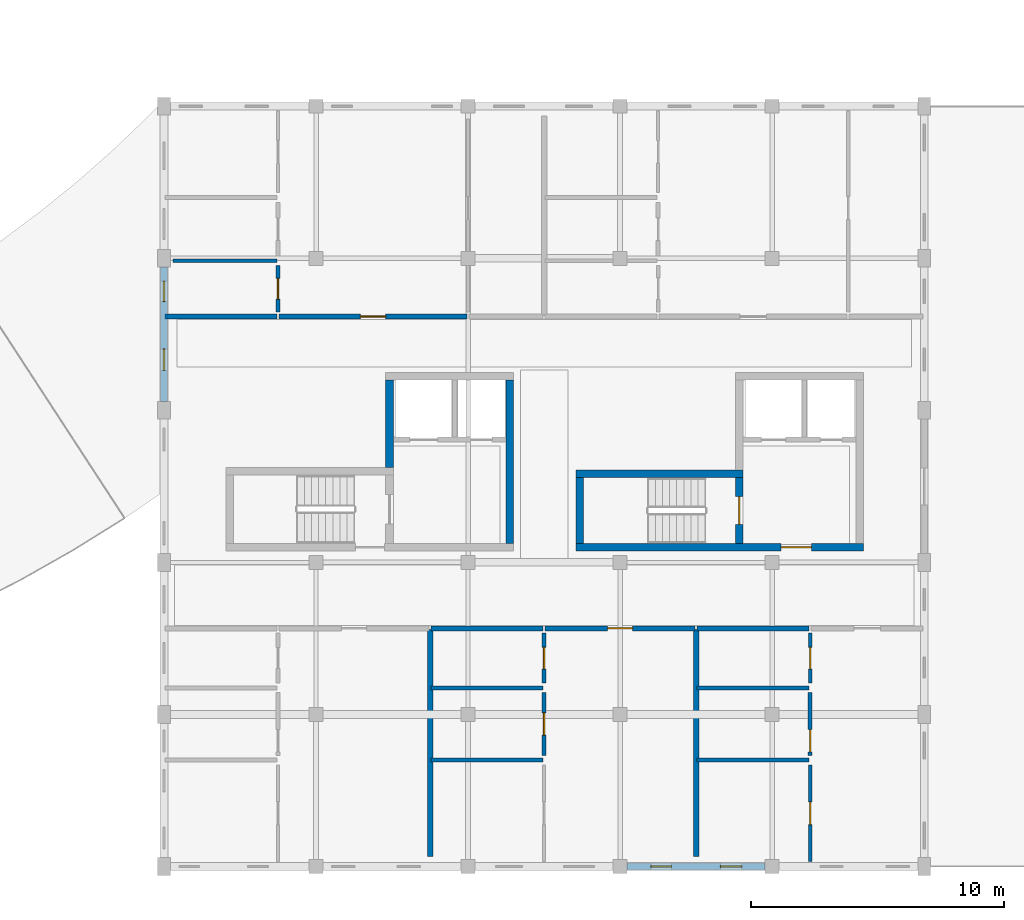
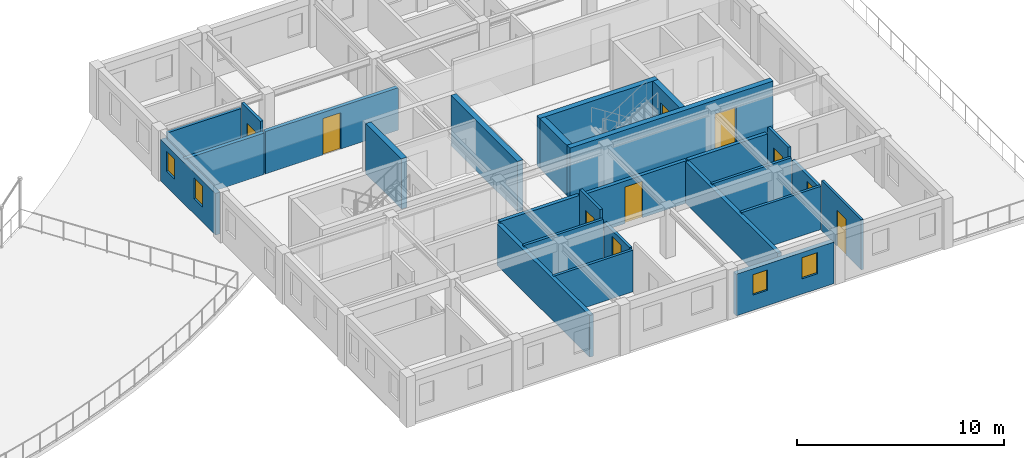
# One storey, part 31 of 58: 26 walls, 10 doors, 4 windows, 14 openings.
"""IFC4 building model written with IfcOpenShell, lengths in metres."""

from ifc_helpers import new_model, si_unit, direction, frame, frame_2d, origin, place, context, subcontext, project, spatial, rectangle, extrude, material, layer, layer_set, type_object, element, fill, save


model = new_model("IFC4")

# Units and contexts
model_context = context("Model", 3, precision=1e-05, world=origin(), true_north=direction((0.0, 1.0)))
body_context = subcontext(model_context, "Body", "Model", "MODEL_VIEW")
ifc_project = project(units=[si_unit("LENGTHUNIT", "METRE"), si_unit("AREAUNIT", "SQUARE_METRE"), si_unit("VOLUMEUNIT", "CUBIC_METRE"), si_unit("PLANEANGLEUNIT", "RADIAN"), si_unit("MASSUNIT", "GRAM", prefix="KILO"), si_unit("POWERUNIT", "WATT"), si_unit("THERMODYNAMICTEMPERATUREUNIT", "KELVIN")], contexts=[model_context])

# Site, building, storey
site_placement = place(None, origin())
site = spatial("IfcSite", under=ifc_project, at=site_placement, CompositionType="ELEMENT")
building_placement = place(site_placement, origin())
building = spatial("IfcBuilding", under=site, at=building_placement, Name="Ruvembo Vaulted Housing Court", CompositionType="ELEMENT")
storey_placement = place(building_placement, frame((0.0, 0.0, 20.5)))
storey = spatial("IfcBuildingStorey", under=building, at=storey_placement, Name="L06", CompositionType="ELEMENT", Elevation=20.5)

# Walls
ifc_material_1 = material(Name="Concrete C35/45", Category="concrete")
ifc_layer_1 = layer(ifc_material_1, 0.300048828125, Name="Concrete C35/45")
ifc_layer_set_1 = layer_set([ifc_layer_1], Name="Concrete C35/45")
wall_type_1 = type_object("IfcWallType", Name="WL-CORE-300", PredefinedType="SHEAR", material=ifc_layer_set_1)
wall_1_placement = place(storey_placement, frame((115.64990234375, 12.75, 0.0), z_axis=(0.0, 0.0, 1.0), x_axis=(0.0, 1.0, 0.0)))
element("IfcWall", 1, at=wall_1_placement, inside=storey, type_object=wall_type_1, Name="Core C1 L06 East Shear Wall", PredefinedType="SHEAR", context=body_context, shape_type="SweptSolid", body=[
    extrude(rectangle(XDim=6.449951171875, YDim=0.300048828125, at=frame_2d((3.22509765625, 0.0))), origin(), (0.0, 0.0, 1.0), 2.969970703125),
])
wall_2_placement = place(storey_placement, frame((110.89990234375, 15.75, 0.0), z_axis=(0.0, 0.0, 1.0), x_axis=(0.0, 1.0, 0.0)))
element("IfcWall", 2, at=wall_2_placement, inside=storey, type_object=wall_type_1, Name="Core C1 L06 Upper West Shear Wall", PredefinedType="SHEAR", context=body_context, shape_type="SweptSolid", body=[
    extrude(rectangle(XDim=3.449951171875, YDim=0.300048828125, at=frame_2d((1.72509765625, 0.0))), origin(), (0.0, 0.0, 1.0), 2.969970703125),
])

# Wall, opening, door
wall_3_placement = place(storey_placement, frame((118.25, 12.60009765625, 0.0), z_axis=(0.0, 0.0, 1.0), x_axis=(1.0, 0.0, 0.0)))
wall_3 = element("IfcWall", 3, at=wall_3_placement, inside=storey, type_object=wall_type_1, Name="Core C2 L06 South Shear Wall", PredefinedType="SHEAR", context=body_context, shape_type="SweptSolid", body=[
    extrude(rectangle(XDim=11.35009765625, YDim=0.300048828125, at=frame_2d((5.675048828125, 0.0))), origin(), (0.0, 0.0, 1.0), 2.969970703125),
])
opening_1_placement = place(wall_3_placement, frame((8.10009765625, 0.0, 0.0)))
opening_1 = element("IfcOpeningElement", 4, at=opening_1_placement, cuts=wall_3, Name="Opening LD3", PredefinedType="OPENING", context=body_context, shape_type="SweptSolid", body=[
    extrude(rectangle(XDim=1.199951171875, YDim=2.14990234375, at=frame_2d((0.60009765625, 1.074951171875))), frame((0.0, 0.159912109375, 0.0), z_axis=(0.0, -1.0, 0.0), x_axis=(1.0, 0.0, 0.0)), (0.0, 0.0, 1.0), 0.320068359375),
])
ifc_material_2 = material(Name="Galvanised Painted Steel", Category="steel")
door_type_1 = type_object("IfcDoorType", Name="DR-LOB-1200x2150", OperationType="NOTDEFINED", PredefinedType="DOOR", material=ifc_material_2)
door_1_placement = place(opening_1_placement, origin())
door_1 = element("IfcDoor", 5, at=door_1_placement, inside=storey, type_object=door_type_1, Name="Core C2 L06 Lobby Fire Door", OperationType="SINGLE_SWING_LEFT", OverallHeight=2.14990234375, OverallWidth=1.199951171875, PredefinedType="DOOR", context=body_context, shape_type="SweptSolid", body=[
    extrude(rectangle(XDim=1.199951171875, YDim=2.14990234375, at=frame_2d((0.60009765625, 1.074951171875))), frame((0.0, 0.02490234375, 0.0), z_axis=(0.0, -1.0, 0.0), x_axis=(1.0, 0.0, 0.0)), (0.0, 0.0, 1.0), 0.050048828125),
])
fill(opening_1, door_1)

# Walls
wall_4_placement = place(storey_placement, frame((124.85009765625, 15.5, 0.0), z_axis=(0.0, 0.0, 1.0), x_axis=(-1.0, 0.0, 0.0)))
element("IfcWall", 6, at=wall_4_placement, inside=storey, type_object=wall_type_1, Name="Core C2 L06 Stair North Shear Wall", PredefinedType="SHEAR", context=body_context, shape_type="SweptSolid", body=[
    extrude(rectangle(XDim=6.60009765625, YDim=0.300048828125, at=frame_2d((3.300048828125, 0.0))), origin(), (0.0, 0.0, 1.0), 2.969970703125),
])
wall_5_placement = place(storey_placement, frame((118.39990234375, 15.35009765625, 0.0), z_axis=(0.0, 0.0, 1.0), x_axis=(0.0, -1.0, 0.0)))
element("IfcWall", 7, at=wall_5_placement, inside=storey, type_object=wall_type_1, Name="Core C2 L06 Stair West Shear Wall", PredefinedType="SHEAR", context=body_context, shape_type="SweptSolid", body=[
    extrude(rectangle(XDim=2.60009765625, YDim=0.300048828125, at=frame_2d((1.300048828125, 0.0))), origin(), (0.0, 0.0, 1.0), 2.969970703125),
])

# Wall, opening, door
wall_6_placement = place(storey_placement, frame((124.699951171875, 12.75, 0.0), z_axis=(0.0, 0.0, 1.0), x_axis=(0.0, 1.0, 0.0)))
wall_6 = element("IfcWall", 8, at=wall_6_placement, inside=storey, type_object=wall_type_1, Name="Core C2 L06 Stair-Lobby Shear Wall", PredefinedType="SHEAR", context=body_context, shape_type="SweptSolid", body=[
    extrude(rectangle(XDim=2.60009765625, YDim=0.300048828125, at=frame_2d((1.300048828125, 0.0))), origin(), (0.0, 0.0, 1.0), 2.969970703125),
])
opening_2_placement = place(wall_6_placement, frame((0.75, 0.0, 0.0)))
opening_2 = element("IfcOpeningElement", 9, at=opening_2_placement, cuts=wall_6, Name="Opening SD2", PredefinedType="OPENING", context=body_context, shape_type="SweptSolid", body=[
    extrude(rectangle(XDim=1.10009765625, YDim=2.14990234375, at=frame_2d((0.550048828125, 1.074951171875))), frame((0.0, 0.159912109375, 0.0), z_axis=(0.0, -1.0, 0.0), x_axis=(1.0, 0.0, 0.0)), (0.0, 0.0, 1.0), 0.320068359375),
])
door_type_2 = type_object("IfcDoorType", Name="DR-STAIR-1100x2150", OperationType="NOTDEFINED", PredefinedType="DOOR", material=ifc_material_2)
door_2_placement = place(opening_2_placement, origin())
door_2 = element("IfcDoor", 10, at=door_2_placement, inside=storey, type_object=door_type_2, Name="Stair ST-C2 L06 Fire Door", OperationType="SINGLE_SWING_RIGHT", OverallHeight=2.14990234375, OverallWidth=1.10009765625, PredefinedType="DOOR", context=body_context, shape_type="SweptSolid", body=[
    extrude(rectangle(XDim=1.10009765625, YDim=2.14990234375, at=frame_2d((0.550048828125, 1.074951171875))), frame((0.0, 0.02490234375, 0.0), z_axis=(0.0, -1.0, 0.0), x_axis=(1.0, 0.0, 0.0)), (0.0, 0.0, 1.0), 0.050048828125),
])
fill(opening_2, door_2)

# Wall
ifc_material_3 = material(Name="Concrete Blockwork 200", Category="masonry")
ifc_layer_2 = layer(ifc_material_3, 0.199951171875, Name="Concrete Blockwork 200")
ifc_layer_set_2 = layer_set([ifc_layer_2], Name="Concrete Blockwork 200")
wall_type_2 = type_object("IfcWallType", Name="WL-CORR-200", PredefinedType="SOLIDWALL", material=ifc_layer_set_2)
wall_7_placement = place(storey_placement, frame((112.5400390625, 9.39990234375, 0.0), z_axis=(0.0, 0.0, 1.0), x_axis=(1.0, 0.0, 0.0)))
element("IfcWall", 11, at=wall_7_placement, inside=storey, type_object=wall_type_2, Name="L06 Flat C-L06-S2 Corridor Wall WL-INT-L06-01787", PredefinedType="SOLIDWALL", context=body_context, shape_type="SweptSolid", body=[
    extrude(rectangle(XDim=4.419921875, YDim=0.199951171875, at=frame_2d((2.2099609375, 0.0))), origin(), (0.0, 0.0, 1.0), 2.548095703125),
])

# Wall, opening, door
wall_8_placement = place(storey_placement, frame((117.0400390625, 9.39990234375, 0.0), z_axis=(0.0, 0.0, 1.0), x_axis=(1.0, 0.0, 0.0)))
wall_8 = element("IfcWall", 12, at=wall_8_placement, inside=storey, type_object=wall_type_2, Name="L06 Flat C-L06-S2 Entrance WL-INT-L06-01788", PredefinedType="SOLIDWALL", context=body_context, shape_type="SweptSolid", body=[
    extrude(rectangle(XDim=5.919921875, YDim=0.199951171875, at=frame_2d((2.9599609375, 0.0))), origin(), (0.0, 0.0, 1.0), 2.508056640625),
])
opening_3_placement = place(wall_8_placement, frame((2.469970703125, 0.0, 0.0)))
opening_3 = element("IfcOpeningElement", 13, at=opening_3_placement, cuts=wall_8, Name="Opening FD2", PredefinedType="OPENING", context=body_context, shape_type="SweptSolid", body=[
    extrude(rectangle(XDim=0.97998046875, YDim=2.14990234375, at=frame_2d((0.489990234375, 1.074951171875))), frame((0.0, 0.10986328125, 0.0), z_axis=(0.0, -1.0, 0.0), x_axis=(1.0, 0.0, 0.0)), (0.0, 0.0, 1.0), 0.219970703125),
])
ifc_material_4 = material(Name="FSC Hardwood and Engineered Timber", Category="wood")
door_type_3 = type_object("IfcDoorType", Name="DR-FLAT-0980x2150", OperationType="NOTDEFINED", PredefinedType="DOOR", material=ifc_material_4)
door_3_placement = place(opening_3_placement, origin())
door_3 = element("IfcDoor", 14, at=door_3_placement, inside=storey, type_object=door_type_3, Name="L06 Flat C-L06-S2 Entrance Door DR-INT-L06-01009", OperationType="SINGLE_SWING_LEFT", OverallHeight=2.14990234375, OverallWidth=0.97998046875, PredefinedType="DOOR", context=body_context, shape_type="SweptSolid", body=[
    extrude(rectangle(XDim=0.97998046875, YDim=2.14990234375, at=frame_2d((0.489990234375, 1.074951171875))), frame((0.0, 0.02490234375, 0.0), z_axis=(0.0, -1.0, 0.0), x_axis=(1.0, 0.0, 0.0)), (0.0, 0.0, 1.0), 0.050048828125),
])
fill(opening_3, door_3)

# Walls
wall_9_placement = place(storey_placement, frame((123.0400390625, 9.39990234375, 0.0), z_axis=(0.0, 0.0, 1.0), x_axis=(1.0, 0.0, 0.0)))
element("IfcWall", 15, at=wall_9_placement, inside=storey, type_object=wall_type_2, Name="L06 Flat C-L06-S3 Corridor Wall WL-INT-L06-01794", PredefinedType="SOLIDWALL", context=body_context, shape_type="SweptSolid", body=[
    extrude(rectangle(XDim=4.419921875, YDim=0.199951171875, at=frame_2d((2.2099609375, 0.0))), origin(), (0.0, 0.0, 1.0), 2.508056640625),
])
wall_10_placement = place(storey_placement, frame((102.0400390625, 21.699951171875, 0.0), z_axis=(0.0, 0.0, 1.0), x_axis=(1.0, 0.0, 0.0)))
element("IfcWall", 16, at=wall_10_placement, inside=storey, type_object=wall_type_2, Name="L06 Flat C-L06-N1 Corridor Wall WL-INT-L06-01802", PredefinedType="SOLIDWALL", context=body_context, shape_type="SweptSolid", body=[
    extrude(rectangle(XDim=4.419921875, YDim=0.199951171875, at=frame_2d((2.2099609375, 0.0))), origin(), (0.0, 0.0, 1.0), 2.451904296875),
])

# Wall, opening, door
wall_11_placement = place(storey_placement, frame((106.5400390625, 21.699951171875, 0.0), z_axis=(0.0, 0.0, 1.0), x_axis=(1.0, 0.0, 0.0)))
wall_11 = element("IfcWall", 17, at=wall_11_placement, inside=storey, type_object=wall_type_2, Name="L06 Flat C-L06-N1 Entrance WL-INT-L06-01803", PredefinedType="SOLIDWALL", context=body_context, shape_type="SweptSolid", body=[
    extrude(rectangle(XDim=7.419921875, YDim=0.199951171875, at=frame_2d((3.7099609375, 0.0))), origin(), (0.0, 0.0, 1.0), 2.508056640625),
])
opening_4_placement = place(wall_11_placement, frame((3.2099609375, 0.0, 0.0)))
opening_4 = element("IfcOpeningElement", 18, at=opening_4_placement, cuts=wall_11, Name="Opening FD1", PredefinedType="OPENING", context=body_context, shape_type="SweptSolid", body=[
    extrude(rectangle(XDim=1.0, YDim=2.14990234375, at=frame_2d((0.5, 1.074951171875))), frame((0.0, 0.10986328125, 0.0), z_axis=(0.0, -1.0, 0.0), x_axis=(1.0, 0.0, 0.0)), (0.0, 0.0, 1.0), 0.219970703125),
])
door_type_4 = type_object("IfcDoorType", Name="DR-FLAT-1000x2150", OperationType="NOTDEFINED", PredefinedType="DOOR", material=ifc_material_4)
door_4_placement = place(opening_4_placement, origin())
door_4 = element("IfcDoor", 19, at=door_4_placement, inside=storey, type_object=door_type_4, Name="L06 Flat C-L06-N1 Entrance Door DR-INT-L06-01017", OperationType="SINGLE_SWING_LEFT", OverallHeight=2.14990234375, OverallWidth=1.0, PredefinedType="DOOR", context=body_context, shape_type="SweptSolid", body=[
    extrude(rectangle(XDim=1.0, YDim=2.14990234375, at=frame_2d((0.5, 1.074951171875))), frame((0.0, 0.02490234375, 0.0), z_axis=(0.0, -1.0, 0.0), x_axis=(1.0, 0.0, 0.0)), (0.0, 0.0, 1.0), 0.050048828125),
])
fill(opening_4, door_4)

# Walls
ifc_material_5 = material(Name="Acoustic Masonry Demising 220", Category="masonry")
ifc_layer_3 = layer(ifc_material_5, 0.219970703125, Name="Acoustic Masonry Demising 220")
ifc_layer_set_3 = layer_set([ifc_layer_3], Name="Acoustic Masonry Demising 220")
wall_type_3 = type_object("IfcWallType", Name="WL-DEM-200", PredefinedType="SOLIDWALL", material=ifc_layer_set_3)
for number, where, z_axis, x_axis, name in (
    (20, (112.5, 0.389892578125, 0.0), (0.0, 0.0, 1.0), (0.0, 1.0, 0.0), "L06 Demising C-L06-S1 WL-INT-L06-01778"),
    (21, (123.0, 0.389892578125, 0.0), (0.0, 0.0, 1.0), (0.0, 1.0, 0.0), "L06 Demising C-L06-S2 WL-INT-L06-01786"),
):
    element("IfcWall", number, at=place(storey_placement, frame(where, z_axis=z_axis, x_axis=x_axis)), inside=storey, type_object=wall_type_3, Name=name, PredefinedType="SOLIDWALL", context=body_context, shape_type="SweptSolid", body=[
        extrude(rectangle(XDim=8.97021484375, YDim=0.219970703125, at=frame_2d((4.485107421875, 0.0))), origin(), (0.0, 0.0, 1.0), 2.451904296875),
    ])

# Wall, openings, windows
ifc_material_6 = material(Name="Rendered Masonry 270", Category="masonry")
ifc_layer_4 = layer(ifc_material_6, 0.27001953125, Name="Rendered Masonry 270")
ifc_layer_set_4 = layer_set([ifc_layer_4], Name="Rendered Masonry 270")
wall_type_4 = type_object("IfcWallType", Name="WL-EXT-270", PredefinedType="STANDARD", material=ifc_layer_set_4)
wall_12_placement = place(storey_placement, frame((120.27490234375, 0.0, 0.0), z_axis=(0.0, 0.0, 1.0), x_axis=(1.0, 0.0, 0.0)))
wall_12 = element("IfcWall", 22, at=wall_12_placement, inside=storey, type_object=wall_type_4, Name="Block C L06 Exterior Wall STREET #4", PredefinedType="STANDARD", context=body_context, shape_type="SweptSolid", body=[
    extrude(rectangle(XDim=5.4501953125, YDim=0.27001953125, at=frame_2d((2.72509765625, 0.0))), origin(), (0.0, 0.0, 1.0), 2.451904296875),
])
opening_5_placement = place(wall_12_placement, frame((0.9423828125, 0.0, 0.89990234375)))
opening_5 = element("IfcOpeningElement", 23, at=opening_5_placement, cuts=wall_12, Name="Opening W02", PredefinedType="OPENING", context=body_context, shape_type="SweptSolid", body=[
    extrude(rectangle(XDim=0.800048828125, YDim=1.199951171875, at=frame_2d((0.39990234375, 0.60009765625))), frame((0.0, 0.14501953125, 0.0), z_axis=(0.0, -1.0, 0.0), x_axis=(1.0, 0.0, 0.0)), (0.0, 0.0, 1.0), 0.2900390625),
])
opening_6_placement = place(wall_12_placement, frame((3.6826171875, 0.0, 0.89990234375)))
opening_6 = element("IfcOpeningElement", 24, at=opening_6_placement, cuts=wall_12, Name="Opening W03", PredefinedType="OPENING", context=body_context, shape_type="SweptSolid", body=[
    extrude(rectangle(XDim=0.85009765625, YDim=1.25, at=frame_2d((0.425048828125, 0.625))), frame((0.0, 0.14501953125, 0.0), z_axis=(0.0, -1.0, 0.0), x_axis=(1.0, 0.0, 0.0)), (0.0, 0.0, 1.0), 0.2900390625),
])
ifc_material_7 = material(Name="Double Solar-Control Glazing in Aluminium Frame", Category="aluminium")
window_type_1 = type_object("IfcWindowType", Name="WIN-0800x1200", PartitioningType="SINGLE_PANEL", PredefinedType="WINDOW", material=ifc_material_7)
window_1_placement = place(opening_5_placement, origin())
window_1 = element("IfcWindow", 25, at=window_1_placement, inside=storey, type_object=window_type_1, Name="Block C L06 Window #1332", OverallHeight=1.199951171875, OverallWidth=0.800048828125, PartitioningType="SINGLE_PANEL", PredefinedType="WINDOW", context=body_context, shape_type="SweptSolid", body=[
    extrude(rectangle(XDim=0.800048828125, YDim=1.199951171875, at=frame_2d((0.39990234375, 0.60009765625))), frame((0.0, 0.030029296875, 0.0), z_axis=(0.0, -1.0, 0.0), x_axis=(1.0, 0.0, 0.0)), (0.0, 0.0, 1.0), 0.06005859375),
])
fill(opening_5, window_1)
window_type_2 = type_object("IfcWindowType", Name="WIN-0850x1250", PartitioningType="SINGLE_PANEL", PredefinedType="WINDOW", material=ifc_material_7)
window_2_placement = place(opening_6_placement, origin())
window_2 = element("IfcWindow", 26, at=window_2_placement, inside=storey, type_object=window_type_2, Name="Block C L06 Window #1333", OverallHeight=1.25, OverallWidth=0.85009765625, PartitioningType="SINGLE_PANEL", PredefinedType="WINDOW", context=body_context, shape_type="SweptSolid", body=[
    extrude(rectangle(XDim=0.85009765625, YDim=1.25, at=frame_2d((0.425048828125, 0.625))), frame((0.0, 0.030029296875, 0.0), z_axis=(0.0, -1.0, 0.0), x_axis=(1.0, 0.0, 0.0)), (0.0, 0.0, 1.0), 0.06005859375),
])
fill(opening_6, window_2)

wall_13_placement = place(storey_placement, frame((102.0, 23.64990234375, 0.0), z_axis=(0.0, 0.0, 1.0), x_axis=(0.0, -1.0, 0.0)))
wall_13 = element("IfcWall", 27, at=wall_13_placement, inside=storey, type_object=wall_type_4, Name="Block C L06 Exterior Wall WEST #2", PredefinedType="STANDARD", context=body_context, shape_type="SweptSolid", body=[
    extrude(rectangle(XDim=5.2998046875, YDim=0.27001953125, at=frame_2d((2.64990234375, 0.0))), origin(), (0.0, 0.0, 1.0), 2.451904296875),
])
opening_7_placement = place(wall_13_placement, frame((0.554931640625, 0.0, 0.89990234375)))
opening_7 = element("IfcOpeningElement", 28, at=opening_7_placement, cuts=wall_13, Name="Opening W02", PredefinedType="OPENING", context=body_context, shape_type="SweptSolid", body=[
    extrude(rectangle(XDim=0.800048828125, YDim=1.199951171875, at=frame_2d((0.39990234375, 0.60009765625))), frame((0.0, 0.14501953125, 0.0), z_axis=(0.0, -1.0, 0.0), x_axis=(1.0, 0.0, 0.0)), (0.0, 0.0, 1.0), 0.2900390625),
])
opening_8_placement = place(wall_13_placement, frame((3.219970703125, 0.0, 0.89990234375)))
opening_8 = element("IfcOpeningElement", 29, at=opening_8_placement, cuts=wall_13, Name="Opening W03", PredefinedType="OPENING", context=body_context, shape_type="SweptSolid", body=[
    extrude(rectangle(XDim=0.85009765625, YDim=1.25, at=frame_2d((0.425048828125, 0.625))), frame((0.0, 0.14501953125, 0.0), z_axis=(0.0, -1.0, 0.0), x_axis=(1.0, 0.0, 0.0)), (0.0, 0.0, 1.0), 0.2900390625),
])
window_3_placement = place(opening_7_placement, origin())
window_3 = element("IfcWindow", 30, at=window_3_placement, inside=storey, type_object=window_type_1, Name="Block C L06 Window #1356", OverallHeight=1.199951171875, OverallWidth=0.800048828125, PartitioningType="SINGLE_PANEL", PredefinedType="WINDOW", context=body_context, shape_type="SweptSolid", body=[
    extrude(rectangle(XDim=0.800048828125, YDim=1.199951171875, at=frame_2d((0.39990234375, 0.60009765625))), frame((0.0, 0.030029296875, 0.0), z_axis=(0.0, -1.0, 0.0), x_axis=(1.0, 0.0, 0.0)), (0.0, 0.0, 1.0), 0.06005859375),
])
fill(opening_7, window_3)
window_4_placement = place(opening_8_placement, origin())
window_4 = element("IfcWindow", 31, at=window_4_placement, inside=storey, type_object=window_type_2, Name="Block C L06 Window #1357", OverallHeight=1.25, OverallWidth=0.85009765625, PartitioningType="SINGLE_PANEL", PredefinedType="WINDOW", context=body_context, shape_type="SweptSolid", body=[
    extrude(rectangle(XDim=0.85009765625, YDim=1.25, at=frame_2d((0.425048828125, 0.625))), frame((0.0, 0.030029296875, 0.0), z_axis=(0.0, -1.0, 0.0), x_axis=(1.0, 0.0, 0.0)), (0.0, 0.0, 1.0), 0.06005859375),
])
fill(opening_8, window_4)

# Wall, opening, door
ifc_material_8 = material(Name="Plasterboard Stud Partition 125", Category="gypsum")
ifc_layer_5 = layer(ifc_material_8, 0.125, Name="Plasterboard Stud Partition 125")
ifc_layer_set_5 = layer_set([ifc_layer_5], Name="Plasterboard Stud Partition 125")
wall_type_5 = type_object("IfcWallType", Name="WL-PART-125", PredefinedType="PARTITIONING", material=ifc_layer_set_5)
wall_14_placement = place(storey_placement, frame((127.5, 0.18994140625, 0.0), z_axis=(0.0, 0.0, 1.0), x_axis=(0.0, 1.0, 0.0)))
wall_14 = element("IfcWall", 32, at=wall_14_placement, inside=storey, type_object=wall_type_5, Name="L06 Flat C-L06-S3 Bedroom 1 WL-INT-L06-01796", PredefinedType="PARTITIONING", context=body_context, shape_type="SweptSolid", body=[
    extrude(rectangle(XDim=3.820068359375, YDim=0.125, at=frame_2d((1.91015625, 0.0))), origin(), (0.0, 0.0, 1.0), 2.969970703125),
])
opening_9_placement = place(wall_14_placement, frame((1.4599609375, 0.0, 0.0)))
opening_9 = element("IfcOpeningElement", 33, at=opening_9_placement, cuts=wall_14, Name="Opening ID1", PredefinedType="OPENING", context=body_context, shape_type="SweptSolid", body=[
    extrude(rectangle(XDim=0.89990234375, YDim=2.10009765625, at=frame_2d((0.449951171875, 1.050048828125))), frame((0.0, 0.072509765625, 0.0), z_axis=(0.0, -1.0, 0.0), x_axis=(1.0, 0.0, 0.0)), (0.0, 0.0, 1.0), 0.14501953125),
])
door_type_5 = type_object("IfcDoorType", Name="DR-ROOM-0900x2100", OperationType="NOTDEFINED", PredefinedType="DOOR", material=ifc_material_4)
door_5_placement = place(opening_9_placement, origin())
door_5 = element("IfcDoor", 34, at=door_5_placement, inside=storey, type_object=door_type_5, Name="L06 Flat C-L06-S3 Bedroom 1 Door DR-INT-L06-01014", OperationType="SINGLE_SWING_RIGHT", OverallHeight=2.10009765625, OverallWidth=0.89990234375, PredefinedType="DOOR", context=body_context, shape_type="SweptSolid", body=[
    extrude(rectangle(XDim=0.89990234375, YDim=2.10009765625, at=frame_2d((0.449951171875, 1.050048828125))), frame((0.0, 0.02490234375, 0.0), z_axis=(0.0, -1.0, 0.0), x_axis=(1.0, 0.0, 0.0)), (0.0, 0.0, 1.0), 0.050048828125),
])
fill(opening_9, door_5)

ifc_material_9 = material(Name="Moisture-Resistant Wet Partition 150", Category="gypsum")
ifc_layer_6 = layer(ifc_material_9, 0.14990234375, Name="Moisture-Resistant Wet Partition 150")
ifc_layer_set_6 = layer_set([ifc_layer_6], Name="Moisture-Resistant Wet Partition 150")
wall_type_6 = type_object("IfcWallType", Name="WL-PART-150", PredefinedType="PARTITIONING", material=ifc_layer_set_6)
wall_15_placement = place(storey_placement, frame((117.0, 7.239990234375, 0.0), z_axis=(0.0, 0.0, 1.0), x_axis=(0.0, 1.0, 0.0)))
wall_15 = element("IfcWall", 35, at=wall_15_placement, inside=storey, type_object=wall_type_6, Name="L06 Flat C-L06-S2 Bathroom WL-INT-L06-01791", PredefinedType="PARTITIONING", context=body_context, shape_type="SweptSolid", body=[
    extrude(rectangle(XDim=1.969970703125, YDim=0.14990234375, at=frame_2d((0.98486328125, 0.0))), origin(), (0.0, 0.0, 1.0), 2.969970703125),
])
opening_10_placement = place(wall_15_placement, frame((0.56005859375, 0.0, 0.0)))
opening_10 = element("IfcOpeningElement", 36, at=opening_10_placement, cuts=wall_15, Name="Opening ID2", PredefinedType="OPENING", context=body_context, shape_type="SweptSolid", body=[
    extrude(rectangle(XDim=0.85009765625, YDim=2.10009765625, at=frame_2d((0.425048828125, 1.050048828125))), frame((0.0, 0.0849609375, 0.0), z_axis=(0.0, -1.0, 0.0), x_axis=(1.0, 0.0, 0.0)), (0.0, 0.0, 1.0), 0.169921875),
])
door_type_6 = type_object("IfcDoorType", Name="DR-WET-0850x2100", OperationType="NOTDEFINED", PredefinedType="DOOR", material=ifc_material_4)
door_6_placement = place(opening_10_placement, origin())
door_6 = element("IfcDoor", 37, at=door_6_placement, inside=storey, type_object=door_type_6, Name="L06 Flat C-L06-S2 Bathroom Door DR-INT-L06-01012", OperationType="SINGLE_SWING_RIGHT", OverallHeight=2.10009765625, OverallWidth=0.85009765625, PredefinedType="DOOR", context=body_context, shape_type="SweptSolid", body=[
    extrude(rectangle(XDim=0.85009765625, YDim=2.10009765625, at=frame_2d((0.425048828125, 1.050048828125))), frame((0.0, 0.02490234375, 0.0), z_axis=(0.0, -1.0, 0.0), x_axis=(1.0, 0.0, 0.0)), (0.0, 0.0, 1.0), 0.050048828125),
])
fill(opening_10, door_6)

# Walls
wall_16_placement = place(storey_placement, frame((112.5400390625, 4.199951171875, 0.0), z_axis=(0.0, 0.0, 1.0), x_axis=(1.0, 0.0, 0.0)))
element("IfcWall", 38, at=wall_16_placement, inside=storey, type_object=wall_type_6, Name="L06 Flat C-L06-S2 Wet Wall 1 WL-INT-L06-01792", PredefinedType="PARTITIONING", context=body_context, shape_type="SweptSolid", body=[
    extrude(rectangle(XDim=4.419921875, YDim=0.14990234375, at=frame_2d((2.2099609375, 0.0))), origin(), (0.0, 0.0, 1.0), 2.4580078125),
])
wall_17_placement = place(storey_placement, frame((112.5400390625, 7.050048828125, 0.0), z_axis=(0.0, 0.0, 1.0), x_axis=(1.0, 0.0, 0.0)))
element("IfcWall", 39, at=wall_17_placement, inside=storey, type_object=wall_type_6, Name="L06 Flat C-L06-S2 Wet Wall 2 WL-INT-L06-01793", PredefinedType="PARTITIONING", context=body_context, shape_type="SweptSolid", body=[
    extrude(rectangle(XDim=4.419921875, YDim=0.14990234375, at=frame_2d((2.2099609375, 0.0))), origin(), (0.0, 0.0, 1.0), 2.548095703125),
])

# Wall, opening, door
wall_18_placement = place(storey_placement, frame((127.5, 7.239990234375, 0.0), z_axis=(0.0, 0.0, 1.0), x_axis=(0.0, 1.0, 0.0)))
wall_18 = element("IfcWall", 40, at=wall_18_placement, inside=storey, type_object=wall_type_6, Name="L06 Flat C-L06-S3 Bathroom WL-INT-L06-01798", PredefinedType="PARTITIONING", context=body_context, shape_type="SweptSolid", body=[
    extrude(rectangle(XDim=1.969970703125, YDim=0.14990234375, at=frame_2d((0.98486328125, 0.0))), origin(), (0.0, 0.0, 1.0), 2.969970703125),
])
opening_11_placement = place(wall_18_placement, frame((0.56005859375, 0.0, 0.0)))
opening_11 = element("IfcOpeningElement", 41, at=opening_11_placement, cuts=wall_18, Name="Opening ID2", PredefinedType="OPENING", context=body_context, shape_type="SweptSolid", body=[
    extrude(rectangle(XDim=0.85009765625, YDim=2.10009765625, at=frame_2d((0.425048828125, 1.050048828125))), frame((0.0, 0.0849609375, 0.0), z_axis=(0.0, -1.0, 0.0), x_axis=(1.0, 0.0, 0.0)), (0.0, 0.0, 1.0), 0.169921875),
])
door_7_placement = place(opening_11_placement, origin())
door_7 = element("IfcDoor", 42, at=door_7_placement, inside=storey, type_object=door_type_6, Name="L06 Flat C-L06-S3 Bathroom Door DR-INT-L06-01016", OperationType="SINGLE_SWING_RIGHT", OverallHeight=2.10009765625, OverallWidth=0.85009765625, PredefinedType="DOOR", context=body_context, shape_type="SweptSolid", body=[
    extrude(rectangle(XDim=0.85009765625, YDim=2.10009765625, at=frame_2d((0.425048828125, 1.050048828125))), frame((0.0, 0.02490234375, 0.0), z_axis=(0.0, -1.0, 0.0), x_axis=(1.0, 0.0, 0.0)), (0.0, 0.0, 1.0), 0.050048828125),
])
fill(opening_11, door_7)

# Walls
wall_19_placement = place(storey_placement, frame((123.0400390625, 4.199951171875, 0.0), z_axis=(0.0, 0.0, 1.0), x_axis=(1.0, 0.0, 0.0)))
element("IfcWall", 43, at=wall_19_placement, inside=storey, type_object=wall_type_6, Name="L06 Flat C-L06-S3 Wet Wall 1 WL-INT-L06-01799", PredefinedType="PARTITIONING", context=body_context, shape_type="SweptSolid", body=[
    extrude(rectangle(XDim=4.419921875, YDim=0.14990234375, at=frame_2d((2.2099609375, 0.0))), origin(), (0.0, 0.0, 1.0), 2.548095703125),
])
wall_20_placement = place(storey_placement, frame((123.0400390625, 7.050048828125, 0.0), z_axis=(0.0, 0.0, 1.0), x_axis=(1.0, 0.0, 0.0)))
element("IfcWall", 44, at=wall_20_placement, inside=storey, type_object=wall_type_6, Name="L06 Flat C-L06-S3 Wet Wall 2 WL-INT-L06-01800", PredefinedType="PARTITIONING", context=body_context, shape_type="SweptSolid", body=[
    extrude(rectangle(XDim=4.419921875, YDim=0.14990234375, at=frame_2d((2.2099609375, 0.0))), origin(), (0.0, 0.0, 1.0), 2.508056640625),
])

# Wall, opening, door
wall_21_placement = place(storey_placement, frame((106.5, 21.889892578125, 0.0), z_axis=(0.0, 0.0, 1.0), x_axis=(0.0, 1.0, 0.0)))
wall_21 = element("IfcWall", 45, at=wall_21_placement, inside=storey, type_object=wall_type_6, Name="L06 Flat C-L06-N1 Bathroom WL-INT-L06-01806", PredefinedType="PARTITIONING", context=body_context, shape_type="SweptSolid", body=[
    extrude(rectangle(XDim=1.820068359375, YDim=0.14990234375, at=frame_2d((0.91015625, 0.0))), origin(), (0.0, 0.0, 1.0), 2.969970703125),
])
opening_12_placement = place(wall_21_placement, frame((0.5, 0.0, 0.0)))
opening_12 = element("IfcOpeningElement", 46, at=opening_12_placement, cuts=wall_21, Name="Opening ID4", PredefinedType="OPENING", context=body_context, shape_type="SweptSolid", body=[
    extrude(rectangle(XDim=0.820068359375, YDim=2.080078125, at=frame_2d((0.41015625, 1.0400390625))), frame((0.0, 0.0849609375, 0.0), z_axis=(0.0, -1.0, 0.0), x_axis=(1.0, 0.0, 0.0)), (0.0, 0.0, 1.0), 0.169921875),
])
door_type_7 = type_object("IfcDoorType", Name="DR-WET-0820x2080", OperationType="NOTDEFINED", PredefinedType="DOOR", material=ifc_material_4)
door_8_placement = place(opening_12_placement, origin())
door_8 = element("IfcDoor", 47, at=door_8_placement, inside=storey, type_object=door_type_7, Name="L06 Flat C-L06-N1 Bathroom Door DR-INT-L06-01020", OperationType="SINGLE_SWING_RIGHT", OverallHeight=2.080078125, OverallWidth=0.820068359375, PredefinedType="DOOR", context=body_context, shape_type="SweptSolid", body=[
    extrude(rectangle(XDim=0.820068359375, YDim=2.080078125, at=frame_2d((0.41015625, 1.0400390625))), frame((0.0, 0.02490234375, 0.0), z_axis=(0.0, -1.0, 0.0), x_axis=(1.0, 0.0, 0.0)), (0.0, 0.0, 1.0), 0.050048828125),
])
fill(opening_12, door_8)

# Wall
wall_22_placement = place(storey_placement, frame((102.360107421875, 23.89990234375, 0.0), z_axis=(0.0, 0.0, 1.0), x_axis=(1.0, 0.0, 0.0)))
element("IfcWall", 48, at=wall_22_placement, inside=storey, type_object=wall_type_6, Name="L06 Flat C-L06-N1 Wet Wall 2 WL-INT-L06-01808", PredefinedType="PARTITIONING", context=body_context, shape_type="SweptSolid", body=[
    extrude(rectangle(XDim=4.099853515625, YDim=0.14990234375, at=frame_2d((2.0498046875, 0.0))), origin(), (0.0, 0.0, 1.0), 2.548095703125),
])

# Wall, opening, door
ifc_material_10 = material(Name="Acoustic Service Chase Wall 160", Category="gypsum")
ifc_layer_7 = layer(ifc_material_10, 0.159912109375, Name="Acoustic Service Chase Wall 160")
ifc_layer_set_7 = layer_set([ifc_layer_7], Name="Acoustic Service Chase Wall 160")
wall_type_7 = type_object("IfcWallType", Name="WL-PLUMB-160", PredefinedType="PLUMBINGWALL", material=ifc_layer_set_7)
wall_23_placement = place(storey_placement, frame((117.0, 4.389892578125, 0.0), z_axis=(0.0, 0.0, 1.0), x_axis=(0.0, 1.0, 0.0)))
wall_23 = element("IfcWall", 49, at=wall_23_placement, inside=storey, type_object=wall_type_7, Name="L06 Flat C-L06-S2 Kitchen WL-INT-L06-01790", PredefinedType="PLUMBINGWALL", context=body_context, shape_type="SweptSolid", body=[
    extrude(rectangle(XDim=2.47021484375, YDim=0.159912109375, at=frame_2d((1.235107421875, 0.0))), origin(), (0.0, 0.0, 1.0), 2.451904296875),
])
opening_13_placement = place(wall_23_placement, frame((0.794921875, 0.0, 0.0)))
opening_13 = element("IfcOpeningElement", 50, at=opening_13_placement, cuts=wall_23, Name="Opening ID3", PredefinedType="OPENING", context=body_context, shape_type="SweptSolid", body=[
    extrude(rectangle(XDim=0.8798828125, YDim=2.10009765625, at=frame_2d((0.43994140625, 1.050048828125))), frame((0.0, 0.08984375, 0.0), z_axis=(0.0, -1.0, 0.0), x_axis=(1.0, 0.0, 0.0)), (0.0, 0.0, 1.0), 0.179931640625),
])
door_type_8 = type_object("IfcDoorType", Name="DR-ROOM-0880x2100", OperationType="NOTDEFINED", PredefinedType="DOOR", material=ifc_material_4)
door_9_placement = place(opening_13_placement, origin())
door_9 = element("IfcDoor", 51, at=door_9_placement, inside=storey, type_object=door_type_8, Name="L06 Flat C-L06-S2 Kitchen Door DR-INT-L06-01011", OperationType="SINGLE_SWING_LEFT", OverallHeight=2.10009765625, OverallWidth=0.8798828125, PredefinedType="DOOR", context=body_context, shape_type="SweptSolid", body=[
    extrude(rectangle(XDim=0.8798828125, YDim=2.10009765625, at=frame_2d((0.43994140625, 1.050048828125))), frame((0.0, 0.02490234375, 0.0), z_axis=(0.0, -1.0, 0.0), x_axis=(1.0, 0.0, 0.0)), (0.0, 0.0, 1.0), 0.050048828125),
])
fill(opening_13, door_9)

wall_24_placement = place(storey_placement, frame((127.5, 4.389892578125, 0.0), z_axis=(0.0, 0.0, 1.0), x_axis=(0.0, 1.0, 0.0)))
wall_24 = element("IfcWall", 52, at=wall_24_placement, inside=storey, type_object=wall_type_7, Name="L06 Flat C-L06-S3 Kitchen WL-INT-L06-01797", PredefinedType="PLUMBINGWALL", context=body_context, shape_type="SweptSolid", body=[
    extrude(rectangle(XDim=2.47021484375, YDim=0.159912109375, at=frame_2d((1.235107421875, 0.0))), origin(), (0.0, 0.0, 1.0), 2.451904296875),
])
opening_14_placement = place(wall_24_placement, frame((0.1298828125, 0.0, 0.0)))
opening_14 = element("IfcOpeningElement", 53, at=opening_14_placement, cuts=wall_24, Name="Opening ID3", PredefinedType="OPENING", context=body_context, shape_type="SweptSolid", body=[
    extrude(rectangle(XDim=0.8798828125, YDim=2.10009765625, at=frame_2d((0.43994140625, 1.050048828125))), frame((0.0, 0.08984375, 0.0), z_axis=(0.0, -1.0, 0.0), x_axis=(1.0, 0.0, 0.0)), (0.0, 0.0, 1.0), 0.179931640625),
])
door_10_placement = place(opening_14_placement, origin())
door_10 = element("IfcDoor", 54, at=door_10_placement, inside=storey, type_object=door_type_8, Name="L06 Flat C-L06-S3 Kitchen Door DR-INT-L06-01015", OperationType="SINGLE_SWING_LEFT", OverallHeight=2.10009765625, OverallWidth=0.8798828125, PredefinedType="DOOR", context=body_context, shape_type="SweptSolid", body=[
    extrude(rectangle(XDim=0.8798828125, YDim=2.10009765625, at=frame_2d((0.43994140625, 1.050048828125))), frame((0.0, 0.02490234375, 0.0), z_axis=(0.0, -1.0, 0.0), x_axis=(1.0, 0.0, 0.0)), (0.0, 0.0, 1.0), 0.050048828125),
])
fill(opening_14, door_10)

save(model, "model.ifc")
